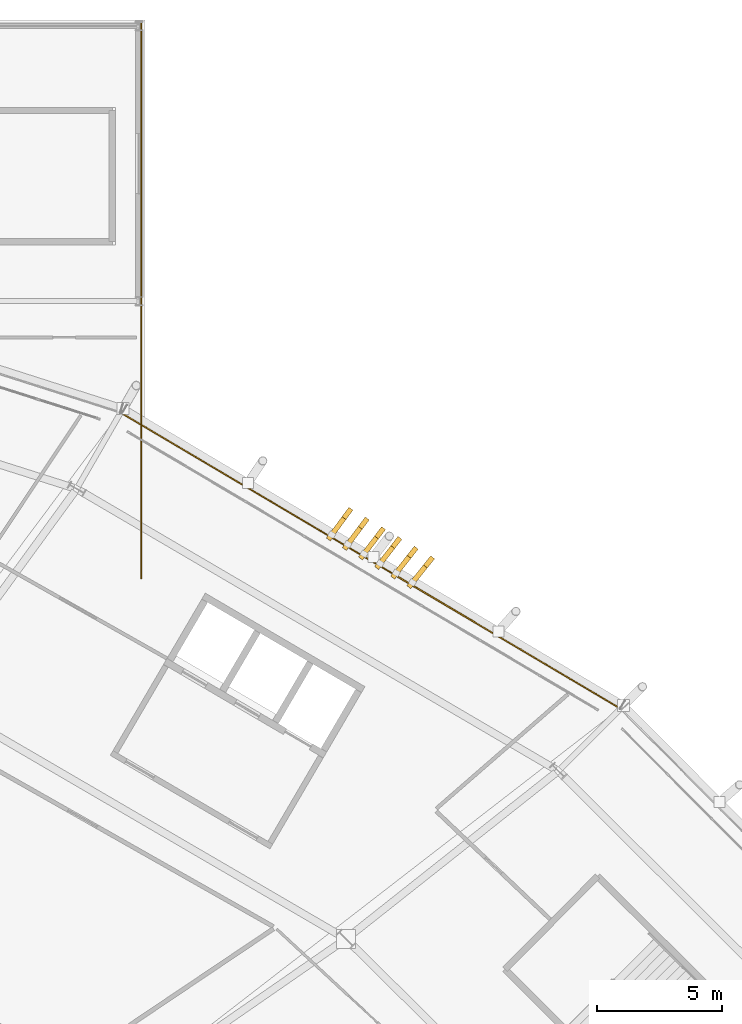
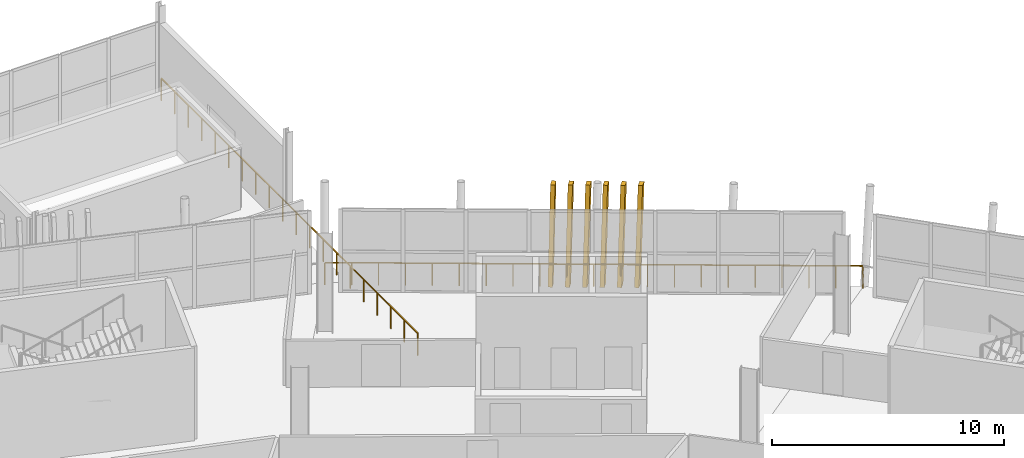
# One storey, part 168 of 168: 6 shading devices, 2 railings.
"""IFC4 building model written with IfcOpenShell, lengths in metres."""

from ifc_helpers import new_model, si_unit, direction, frame, origin, origin_2d, place, context, subcontext, project, spatial, rectangle, extrude, material, material_profile, profile_set, type_object, element, save


model = new_model("IFC4")

# Units and contexts
model_context = context("Model", 3, precision=1e-05, world=origin(), true_north=direction((0.0, 1.0)))
body_context = subcontext(model_context, "Body", "Model", "MODEL_VIEW")
ifc_project = project(units=[si_unit("LENGTHUNIT", "METRE"), si_unit("AREAUNIT", "SQUARE_METRE"), si_unit("VOLUMEUNIT", "CUBIC_METRE"), si_unit("PLANEANGLEUNIT", "RADIAN"), si_unit("MASSUNIT", "GRAM", prefix="KILO")], contexts=[model_context])

# Site, building, storey
site_placement = place(None, origin())
site = spatial("IfcSite", under=ifc_project, at=site_placement, CompositionType="ELEMENT")
building_placement = place(site_placement, origin())
building = spatial("IfcBuilding", under=site, at=building_placement, Name="Zlatoyarsky Gate Stadium", CompositionType="ELEMENT")
storey_placement = place(building_placement, frame((0.0, 0.0, 15.60009765625)))
storey = spatial("IfcBuildingStorey", under=building, at=storey_placement, Name="L03", CompositionType="ELEMENT", Elevation=15.60009765625)

# Railings
ifc_material_1 = material(Name="Powder-coated steel tubular guardrail", Category="steel")
railing_type = type_object("IfcRailingType", Name="CONCOURSE SLAB EDGE GUARDRAIL 1200", PredefinedType="GUARDRAIL", material=ifc_material_1)
railing_1_placement = place(storey_placement, frame((179.25146484375, 132.6953125, 0.0)))
element("IfcRailing", 1, at=railing_1_placement, inside=storey, type_object=railing_type, Name="L03 outer slab edge guardrail 03", PredefinedType="GUARDRAIL", context=body_context, shape_type="SweptSolid", body=[
    extrude(rectangle(XDim=0.048095703125, YDim=0.048095703125, at=origin_2d()), frame((0.0, 0.0, 1.17578125), z_axis=(-0.860356384529, 0.509692938542, 0.0), x_axis=(-0.509692938542, -0.860356384529, 0.0)), (0.0, 0.0, 1.0), 23.235107421875),
    extrude(rectangle(XDim=0.0419921875, YDim=0.0419921875, at=origin_2d()), origin(), (0.0, 0.0, 1.0), 1.15185546875),
    extrude(rectangle(XDim=0.0419921875, YDim=0.0419921875, at=origin_2d()), frame((-0.99951171875, 0.592041015625, 0.0)), (0.0, 0.0, 1.0), 1.15185546875),
    extrude(rectangle(XDim=0.0419921875, YDim=0.0419921875, at=origin_2d()), frame((-1.9990234375, 1.184326171875, 0.0)), (0.0, 0.0, 1.0), 1.15185546875),
    extrude(rectangle(XDim=0.0419921875, YDim=0.0419921875, at=origin_2d()), frame((-2.99853515625, 1.7763671875, 0.0)), (0.0, 0.0, 1.0), 1.15185546875),
    extrude(rectangle(XDim=0.0419921875, YDim=0.0419921875, at=origin_2d()), frame((-3.998046875, 2.36865234375, 0.0)), (0.0, 0.0, 1.0), 1.15185546875),
    extrude(rectangle(XDim=0.0419921875, YDim=0.0419921875, at=origin_2d()), frame((-4.99755859375, 2.960693359375, 0.0)), (0.0, 0.0, 1.0), 1.15185546875),
    extrude(rectangle(XDim=0.0419921875, YDim=0.0419921875, at=origin_2d()), frame((-5.9970703125, 3.552734375, 0.0)), (0.0, 0.0, 1.0), 1.15185546875),
    extrude(rectangle(XDim=0.0419921875, YDim=0.0419921875, at=origin_2d()), frame((-6.99658203125, 4.14501953125, 0.0)), (0.0, 0.0, 1.0), 1.15185546875),
    extrude(rectangle(XDim=0.0419921875, YDim=0.0419921875, at=origin_2d()), frame((-7.99609375, 4.737060546875, 0.0)), (0.0, 0.0, 1.0), 1.15185546875),
    extrude(rectangle(XDim=0.0419921875, YDim=0.0419921875, at=origin_2d()), frame((-8.99560546875, 5.329345703125, 0.0)), (0.0, 0.0, 1.0), 1.15185546875),
    extrude(rectangle(XDim=0.0419921875, YDim=0.0419921875, at=origin_2d()), frame((-9.9951171875, 5.92138671875, 0.0)), (0.0, 0.0, 1.0), 1.15185546875),
    extrude(rectangle(XDim=0.0419921875, YDim=0.0419921875, at=origin_2d()), frame((-10.994873046875, 6.513427734375, 0.0)), (0.0, 0.0, 1.0), 1.15185546875),
    extrude(rectangle(XDim=0.0419921875, YDim=0.0419921875, at=origin_2d()), frame((-11.994384765625, 7.105712890625, 0.0)), (0.0, 0.0, 1.0), 1.15185546875),
    extrude(rectangle(XDim=0.0419921875, YDim=0.0419921875, at=origin_2d()), frame((-12.993896484375, 7.69775390625, 0.0)), (0.0, 0.0, 1.0), 1.15185546875),
    extrude(rectangle(XDim=0.0419921875, YDim=0.0419921875, at=origin_2d()), frame((-13.993408203125, 8.2900390625, 0.0)), (0.0, 0.0, 1.0), 1.15185546875),
    extrude(rectangle(XDim=0.0419921875, YDim=0.0419921875, at=origin_2d()), frame((-14.992919921875, 8.882080078125, 0.0)), (0.0, 0.0, 1.0), 1.15185546875),
    extrude(rectangle(XDim=0.0419921875, YDim=0.0419921875, at=origin_2d()), frame((-15.992431640625, 9.47412109375, 0.0)), (0.0, 0.0, 1.0), 1.15185546875),
    extrude(rectangle(XDim=0.0419921875, YDim=0.0419921875, at=origin_2d()), frame((-16.991943359375, 10.06640625, 0.0)), (0.0, 0.0, 1.0), 1.15185546875),
    extrude(rectangle(XDim=0.0419921875, YDim=0.0419921875, at=origin_2d()), frame((-17.991455078125, 10.658447265625, 0.0)), (0.0, 0.0, 1.0), 1.15185546875),
    extrude(rectangle(XDim=0.0419921875, YDim=0.0419921875, at=origin_2d()), frame((-18.990966796875, 11.250732421875, 0.0)), (0.0, 0.0, 1.0), 1.15185546875),
    extrude(rectangle(XDim=0.0419921875, YDim=0.0419921875, at=origin_2d()), frame((-19.990478515625, 11.8427734375, 0.0)), (0.0, 0.0, 1.0), 1.15185546875),
])
railing_2_placement = place(storey_placement, frame((160.080078125, 160.080078125, 0.0)))
element("IfcRailing", 2, at=railing_2_placement, inside=storey, type_object=railing_type, Name="V2_NORTH L03 E slab edge guardrail", PredefinedType="GUARDRAIL", context=body_context, shape_type="SweptSolid", body=[
    extrude(rectangle(XDim=0.048095703125, YDim=0.048095703125, at=origin_2d()), frame((0.0, 0.0, 1.17578125), z_axis=(0.0, -1.0, 0.0), x_axis=(1.0, 0.0, 0.0)), (0.0, 0.0, 1.0), 22.16015625),
    extrude(rectangle(XDim=0.0419921875, YDim=0.0419921875, at=origin_2d()), origin(), (0.0, 0.0, 1.0), 1.15185546875),
    extrude(rectangle(XDim=0.0419921875, YDim=0.0419921875, at=origin_2d()), frame((0.0, -1.166259765625, 0.0)), (0.0, 0.0, 1.0), 1.15185546875),
    extrude(rectangle(XDim=0.0419921875, YDim=0.0419921875, at=origin_2d()), frame((0.0, -2.332763671875, 0.0)), (0.0, 0.0, 1.0), 1.15185546875),
    extrude(rectangle(XDim=0.0419921875, YDim=0.0419921875, at=origin_2d()), frame((0.0, -3.4990234375, 0.0)), (0.0, 0.0, 1.0), 1.15185546875),
    extrude(rectangle(XDim=0.0419921875, YDim=0.0419921875, at=origin_2d()), frame((0.0, -4.665283203125, 0.0)), (0.0, 0.0, 1.0), 1.15185546875),
    extrude(rectangle(XDim=0.0419921875, YDim=0.0419921875, at=origin_2d()), frame((0.0, -5.83154296875, 0.0)), (0.0, 0.0, 1.0), 1.15185546875),
    extrude(rectangle(XDim=0.0419921875, YDim=0.0419921875, at=origin_2d()), frame((0.0, -6.998046875, 0.0)), (0.0, 0.0, 1.0), 1.15185546875),
    extrude(rectangle(XDim=0.0419921875, YDim=0.0419921875, at=origin_2d()), frame((0.0, -8.164306640625, 0.0)), (0.0, 0.0, 1.0), 1.15185546875),
    extrude(rectangle(XDim=0.0419921875, YDim=0.0419921875, at=origin_2d()), frame((0.0, -9.33056640625, 0.0)), (0.0, 0.0, 1.0), 1.15185546875),
    extrude(rectangle(XDim=0.0419921875, YDim=0.0419921875, at=origin_2d()), frame((0.0, -10.496826171875, 0.0)), (0.0, 0.0, 1.0), 1.15185546875),
    extrude(rectangle(XDim=0.0419921875, YDim=0.0419921875, at=origin_2d()), frame((0.0, -11.663330078125, 0.0)), (0.0, 0.0, 1.0), 1.15185546875),
    extrude(rectangle(XDim=0.0419921875, YDim=0.0419921875, at=origin_2d()), frame((0.0, -12.82958984375, 0.0)), (0.0, 0.0, 1.0), 1.15185546875),
    extrude(rectangle(XDim=0.0419921875, YDim=0.0419921875, at=origin_2d()), frame((0.0, -13.995849609375, 0.0)), (0.0, 0.0, 1.0), 1.15185546875),
    extrude(rectangle(XDim=0.0419921875, YDim=0.0419921875, at=origin_2d()), frame((0.0, -15.162109375, 0.0)), (0.0, 0.0, 1.0), 1.15185546875),
    extrude(rectangle(XDim=0.0419921875, YDim=0.0419921875, at=origin_2d()), frame((0.0, -16.32861328125, 0.0)), (0.0, 0.0, 1.0), 1.15185546875),
    extrude(rectangle(XDim=0.0419921875, YDim=0.0419921875, at=origin_2d()), frame((0.0, -17.494873046875, 0.0)), (0.0, 0.0, 1.0), 1.15185546875),
    extrude(rectangle(XDim=0.0419921875, YDim=0.0419921875, at=origin_2d()), frame((0.0, -18.6611328125, 0.0)), (0.0, 0.0, 1.0), 1.15185546875),
    extrude(rectangle(XDim=0.0419921875, YDim=0.0419921875, at=origin_2d()), frame((0.0, -19.827392578125, 0.0)), (0.0, 0.0, 1.0), 1.15185546875),
    extrude(rectangle(XDim=0.0419921875, YDim=0.0419921875, at=origin_2d()), frame((0.0, -20.993896484375, 0.0)), (0.0, 0.0, 1.0), 1.15185546875),
    extrude(rectangle(XDim=0.0419921875, YDim=0.0419921875, at=origin_2d()), frame((0.0, -22.16015625, 0.0)), (0.0, 0.0, 1.0), 1.15185546875),
])

# Shading devices
ifc_material_2 = material(Name="Precast concrete C40/50 stone-toned architectural rib", Category="masonry")
ifc_material_profile = material_profile(ifc_material_2, rectangle(XDim=0.199951171875, YDim=0.47998046875, at=origin_2d()), Name="RIB 200X480")
ifc_profile_set = profile_set([ifc_material_profile], Name="Precast concrete C40/50 stone-toned architectural rib")
shading_device_type = type_object("IfcShadingDeviceType", Name="PRECAST FLUTED GATE LOUVRE BLADE 200X480", PredefinedType="SHUTTER", material=ifc_profile_set)
for number, where, z_axis, x_axis, name in (
    (3, (170.9296875, 137.739501953125, -0.010009765625), (0.138557475081, 0.172788119735, 0.975164648548), (-0.780148129587, 0.62559483366, 0.0), "Leaning bowl louvre fin L03-03-1"),
    (4, (170.284423828125, 138.121826171875, -0.010009765625), (0.137075913493, 0.17396328194, 0.975165099087), (-0.785461088365, 0.618911042609, 0.0), "Leaning bowl louvre fin L03-03-2"),
    (5, (169.639404296875, 138.504150390625, -0.010009765625), (0.135544926764, 0.175089507735, 0.975177541328), (-0.790741722009, 0.612149923691, 0.0), "Leaning bowl louvre fin L03-03-3"),
    (6, (168.993896484375, 138.886474609375, -0.010009765625), (0.134112555343, 0.176262215594, 0.975164321462), (-0.795828694121, 0.605521832483, 0.0), "Leaning bowl louvre fin L03-03-4"),
    (7, (168.348876953125, 139.268798828125, -0.010009765625), (0.132579385525, 0.177436688219, 0.975160975536), (-0.80107818866, 0.5985597177, 0.0), "Leaning bowl louvre fin L03-03-5"),
    (8, (167.70361328125, 139.651123046875, -0.010009765625), (0.131097145623, 0.178559830067, 0.975156359512), (-0.806074913347, 0.591813512918, 0.0), "Leaning bowl louvre fin L03-03-6"),
):
    element("IfcShadingDevice", number, at=place(storey_placement, frame(where, z_axis=z_axis, x_axis=x_axis)), inside=storey, type_object=shading_device_type, Name=name, PredefinedType="SHUTTER", context=body_context, shape_type="SweptSolid", body=[
        extrude(rectangle(XDim=0.199951171875, YDim=0.47998046875, at=origin_2d()), origin(), (0.0, 0.0, 1.0), 4.778564453125),
    ])

save(model, "model.ifc")
